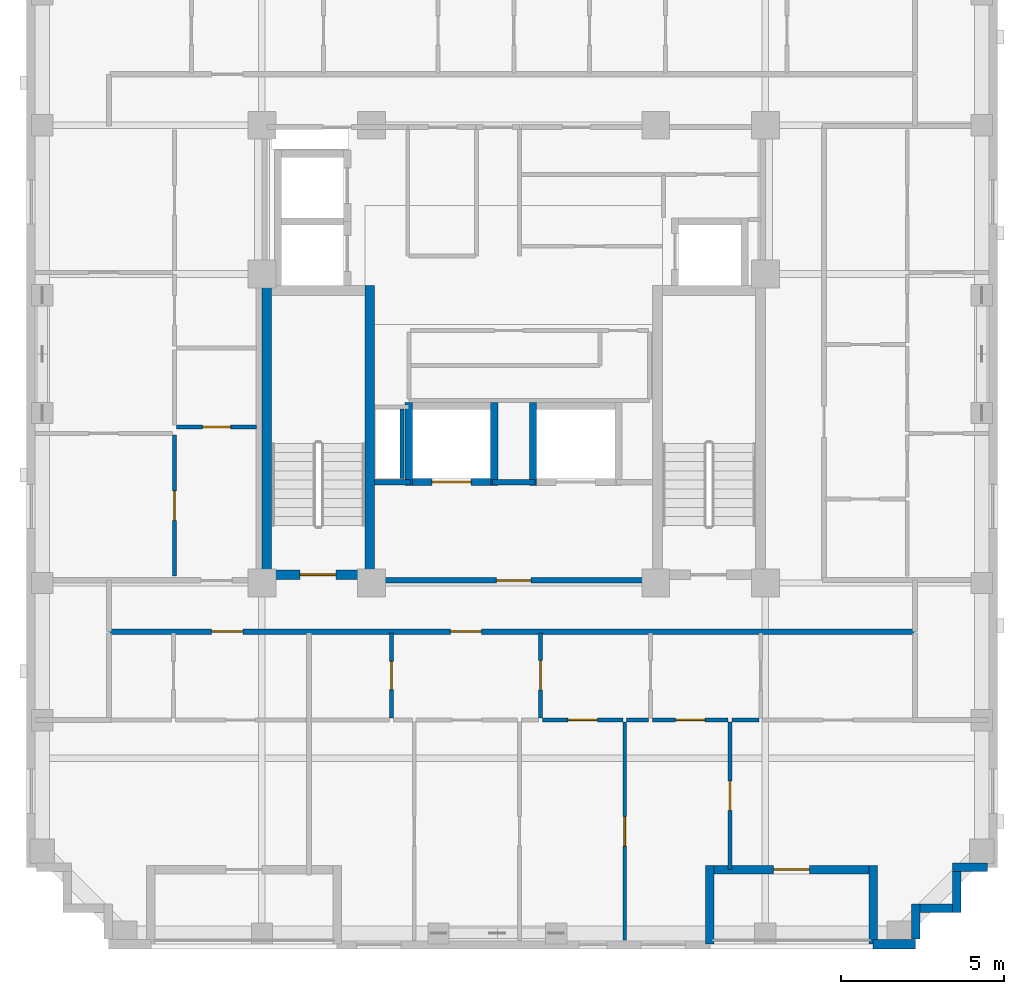
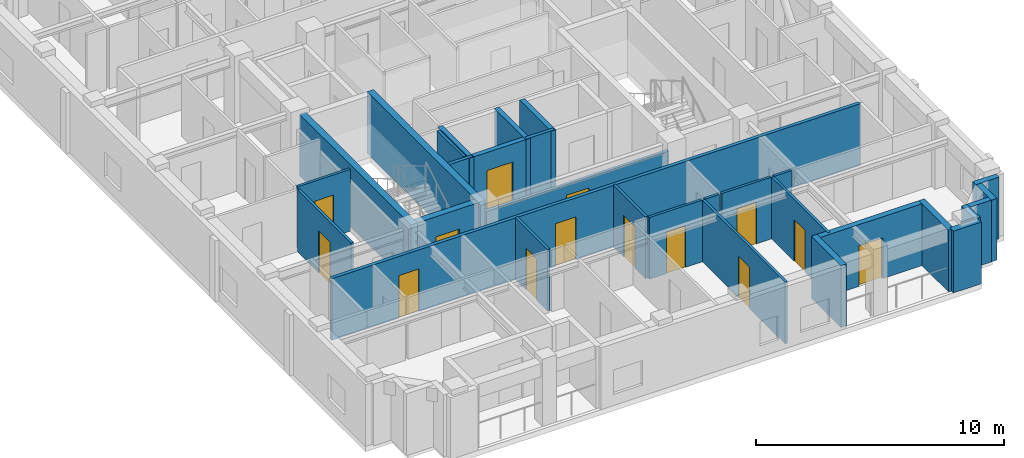
# One storey, part 3 of 11: 30 walls, 14 doors, 14 openings.
"""IFC4 building model written with IfcOpenShell, lengths in metres."""

from ifc_helpers import new_model, si_unit, derived_unit, direction, frame, frame_2d, origin, place, context, subcontext, project, spatial, rectangle, extrude, material, layer, layer_set, type_object, element, fill, save


model = new_model("IFC4")

# Units and contexts
model_context = context("Model", 3, precision=1e-05, world=origin(), true_north=direction((0.0, 1.0)))
body_context = subcontext(model_context, "Body", "Model", "MODEL_VIEW")
ifc_project = project(units=[si_unit("LENGTHUNIT", "METRE"), si_unit("AREAUNIT", "SQUARE_METRE"), si_unit("VOLUMEUNIT", "CUBIC_METRE"), si_unit("PLANEANGLEUNIT", "RADIAN"), si_unit("MASSUNIT", "GRAM", prefix="KILO"), derived_unit("THERMALTRANSMITTANCEUNIT", [(si_unit("MASSUNIT", "GRAM", prefix="KILO"), 1), (si_unit("TIMEUNIT", "SECOND"), -3), (si_unit("THERMODYNAMICTEMPERATUREUNIT", "KELVIN"), -1)])], contexts=[model_context])

# Site, building, storey
site_placement = place(None, origin())
site = spatial("IfcSite", under=ifc_project, at=site_placement, CompositionType="ELEMENT")
building_placement = place(site_placement, origin())
building = spatial("IfcBuilding", under=site, at=building_placement, Name="Korrvale Station Residences", CompositionType="ELEMENT")
storey_placement = place(building_placement, frame((0.0, 0.0, 197.5)))
storey = spatial("IfcBuildingStorey", under=building, at=storey_placement, Name="L57", CompositionType="ELEMENT", Elevation=197.5)

# Walls
ifc_material_1 = material(Name="Concrete C50/60", Category="concrete")
ifc_layer_1 = layer(ifc_material_1, 0.300048828125, Name="Concrete C50/60")
ifc_layer_set_1 = layer_set([ifc_layer_1], Name="Concrete C50/60")
wall_type_1 = type_object("IfcWallType", Name="WAL-CORE-300-C50", PredefinedType="SHEAR", material=ifc_layer_set_1)
for number, where, z_axis, x_axis, name in (
    (1, (17.949951171875, 15.10009765625, 0.0), (0.0, 0.0, 1.0), (0.0, 1.0, 0.0), "L57 ST-1 Core Shear Wall West"),
    (2, (21.10009765625, 15.10009765625, 0.0), (0.0, 0.0, 1.0), (0.0, 1.0, 0.0), "L57 ST-1 Core Shear Wall East"),
):
    element("IfcWall", number, at=place(storey_placement, frame(where, z_axis=z_axis, x_axis=x_axis)), inside=storey, type_object=wall_type_1, Name=name, PredefinedType="SHEAR", context=body_context, shape_type="SweptSolid", body=[
        extrude(rectangle(XDim=9.0, YDim=0.300048828125, at=frame_2d((4.5, 0.0))), origin(), (0.0, 0.0, 1.0), 3.0400390625),
    ])

# Wall, opening, door
wall_1_placement = place(storey_placement, frame((18.10009765625, 15.25, 0.0), z_axis=(0.0, 0.0, 1.0), x_axis=(1.0, 0.0, 0.0)))
wall_1 = element("IfcWall", 3, at=wall_1_placement, inside=storey, type_object=wall_type_1, Name="L57 ST-1 Core Shear Wall South", PredefinedType="SHEAR", context=body_context, shape_type="SweptSolid", body=[
    extrude(rectangle(XDim=2.849853515625, YDim=0.300048828125, at=frame_2d((1.4248046875, 0.0))), origin(), (0.0, 0.0, 1.0), 3.0400390625),
])
opening_1_placement = place(wall_1_placement, frame((0.860107421875, 0.0, 0.0)))
opening_1 = element("IfcOpeningElement", 4, at=opening_1_placement, cuts=wall_1, Name="Opening SD-1100", PredefinedType="OPENING", context=body_context, shape_type="SweptSolid", body=[
    extrude(rectangle(XDim=1.10009765625, YDim=2.050048828125, at=frame_2d((0.550048828125, 1.02490234375))), frame((0.0, 0.16015625, 0.0), z_axis=(0.0, -1.0, 0.0), x_axis=(1.0, 0.0, 0.0)), (0.0, 0.0, 1.0), 0.320068359375),
])
ifc_material_2 = material(Name="Hollow-metal fire-rated stair door with closer", Category="steel")
door_type_1 = type_object("IfcDoorType", Name="DR-STAIR-1100", OperationType="NOTDEFINED", PredefinedType="DOOR", material=ifc_material_2)
door_1_placement = place(opening_1_placement, origin())
door_1 = element("IfcDoor", 5, at=door_1_placement, inside=storey, type_object=door_type_1, Name="L57 ST-1 Exit Stair Door", OperationType="SINGLE_SWING_LEFT", OverallHeight=2.050048828125, OverallWidth=1.10009765625, PredefinedType="DOOR", context=body_context, shape_type="SweptSolid", body=[
    extrude(rectangle(XDim=1.10009765625, YDim=2.050048828125, at=frame_2d((0.550048828125, 1.02490234375))), frame((0.0, 0.02490234375, 0.0), z_axis=(0.0, -1.0, 0.0), x_axis=(1.0, 0.0, 0.0)), (0.0, 0.0, 1.0), 0.050048828125),
])
fill(opening_1, door_1)

# Wall
ifc_material_3 = material(Name="Precast concrete C45/55", Category="concrete")
ifc_layer_2 = layer(ifc_material_3, 0.260009765625, Name="Precast concrete C45/55")
ifc_layer_set_2 = layer_set([ifc_layer_2], Name="Precast concrete C45/55")
wall_type_2 = type_object("IfcWallType", Name="WAL-EXT-LOG260", PredefinedType="SOLIDWALL", material=ifc_layer_set_2)
wall_2_placement = place(storey_placement, frame((36.5, 3.9599609375, 0.0), z_axis=(0.0, 0.0, 1.0), x_axis=(0.0, 1.0, 0.0)))
element("IfcWall", 6, at=wall_2_placement, inside=storey, type_object=wall_type_2, Name="L57 Recessed Loggia Wall BAL-L57-S2-L", PredefinedType="SOLIDWALL", context=body_context, shape_type="SweptSolid", body=[
    extrude(rectangle(XDim=2.400146484375, YDim=0.260009765625, at=frame_2d((1.2001953125, 0.0))), origin(), (0.0, 0.0, 1.0), 3.0400390625),
])

# Wall, opening, door
wall_3_placement = place(storey_placement, frame((36.365966796875, 6.22998046875, 0.0), z_axis=(0.0, 0.0, 1.0), x_axis=(-1.0, 0.0, 0.0)))
wall_3 = element("IfcWall", 7, at=wall_3_placement, inside=storey, type_object=wall_type_2, Name="L57 Recessed Loggia Wall BAL-L57-S2-B", PredefinedType="SOLIDWALL", context=body_context, shape_type="SweptSolid", body=[
    extrude(rectangle(XDim=4.73193359375, YDim=0.260009765625, at=frame_2d((2.365966796875, 0.0))), origin(), (0.0, 0.0, 1.0), 3.0400390625),
])
opening_2_placement = place(wall_3_placement, frame((1.81591796875, 0.0, 0.0)))
opening_2 = element("IfcOpeningElement", 8, at=opening_2_placement, cuts=wall_3, Name="Opening BD-01", PredefinedType="OPENING", context=body_context, shape_type="SweptSolid", body=[
    extrude(rectangle(XDim=1.10009765625, YDim=2.0, at=frame_2d((0.550048828125, 1.0))), frame((0.0, 0.14013671875, 0.0), z_axis=(0.0, -1.0, 0.0), x_axis=(1.0, 0.0, 0.0)), (0.0, 0.0, 1.0), 0.280029296875),
])
ifc_material_4 = material(Name="Exterior thermally broken aluminium glazed balcony door", Category="aluminium")
door_type_2 = type_object("IfcDoorType", Name="DR-EXT-BAL", OperationType="NOTDEFINED", PredefinedType="DOOR", material=ifc_material_4)
door_2_placement = place(opening_2_placement, origin())
door_2 = element("IfcDoor", 9, at=door_2_placement, inside=storey, type_object=door_type_2, Name="L57 Loggia Balcony Door BAL-L57-S2", OperationType="SINGLE_SWING_RIGHT", OverallHeight=2.0, OverallWidth=1.10009765625, PredefinedType="DOOR", context=body_context, shape_type="SweptSolid", body=[
    extrude(rectangle(XDim=1.10009765625, YDim=2.0, at=frame_2d((0.550048828125, 1.0))), frame((0.0, 0.02490234375, 0.0), z_axis=(0.0, -1.0, 0.0), x_axis=(1.0, 0.0, 0.0)), (0.0, 0.0, 1.0), 0.050048828125),
])
fill(opening_2, door_2)

# Walls
wall_4_placement = place(storey_placement, frame((31.5, 6.360107421875, 0.0), z_axis=(0.0, 0.0, 1.0), x_axis=(0.0, -1.0, 0.0)))
element("IfcWall", 10, at=wall_4_placement, inside=storey, type_object=wall_type_2, Name="L57 Recessed Loggia Wall BAL-L57-S2-R", PredefinedType="SOLIDWALL", context=body_context, shape_type="SweptSolid", body=[
    extrude(rectangle(XDim=2.400146484375, YDim=0.260009765625, at=frame_2d((1.2001953125, 0.0))), origin(), (0.0, 0.0, 1.0), 3.0400390625),
])
wall_5_placement = place(storey_placement, frame((39.998046875, 6.300048828125, 0.0), z_axis=(0.0, 0.0, 1.0), x_axis=(-1.0, 0.0, 0.0)))
element("IfcWall", 11, at=wall_5_placement, inside=storey, type_object=wall_type_2, Name="L57 Serrated Corner Precast Step SE-1", PredefinedType="SOLIDWALL", context=body_context, shape_type="SweptSolid", body=[
    extrude(rectangle(XDim=1.078125, YDim=0.260009765625, at=frame_2d((0.5390625, 0.0))), origin(), (0.0, 0.0, 1.0), 3.0400390625),
])
wall_6_placement = place(storey_placement, frame((39.050048828125, 6.16796875, 0.0), z_axis=(0.0, 0.0, 1.0), x_axis=(0.0, -1.0, 0.0)))
element("IfcWall", 12, at=wall_6_placement, inside=storey, type_object=wall_type_2, Name="L57 Serrated Corner Precast Step SE-2", PredefinedType="SOLIDWALL", context=body_context, shape_type="SweptSolid", body=[
    extrude(rectangle(XDim=1.248046875, YDim=0.260009765625, at=frame_2d((0.6240234375, 0.0))), origin(), (0.0, 0.0, 1.0), 3.0400390625),
])
wall_7_placement = place(storey_placement, frame((38.91796875, 5.050048828125, 0.0), z_axis=(0.0, 0.0, 1.0), x_axis=(-1.0, 0.0, 0.0)))
element("IfcWall", 13, at=wall_7_placement, inside=storey, type_object=wall_type_2, Name="L57 Serrated Corner Precast Step SE-3", PredefinedType="SOLIDWALL", context=body_context, shape_type="SweptSolid", body=[
    extrude(rectangle(XDim=0.986083984375, YDim=0.260009765625, at=frame_2d((0.4931640625, 0.0))), origin(), (0.0, 0.0, 1.0), 3.0400390625),
])
wall_8_placement = place(storey_placement, frame((37.800048828125, 5.179931640625, 0.0), z_axis=(0.0, 0.0, 1.0), x_axis=(0.0, -1.0, 0.0)))
element("IfcWall", 14, at=wall_8_placement, inside=storey, type_object=wall_type_2, Name="L57 Serrated Corner Precast Step SE-4", PredefinedType="SOLIDWALL", context=body_context, shape_type="SweptSolid", body=[
    extrude(rectangle(XDim=1.077880859375, YDim=0.260009765625, at=frame_2d((0.5390625, 0.0))), origin(), (0.0, 0.0, 1.0), 3.0400390625),
])
ifc_layer_3 = layer(ifc_material_3, 0.300048828125, Name="Precast concrete C45/55")
ifc_layer_set_3 = layer_set([ifc_layer_3], Name="Precast concrete C45/55")
wall_type_3 = type_object("IfcWallType", Name="WAL-EXT-PC300", PredefinedType="SOLIDWALL", material=ifc_layer_set_3)
wall_9_placement = place(storey_placement, frame((37.800048828125, 3.949951171875, 0.0), z_axis=(0.0, 0.0, 1.0), x_axis=(-1.0, 0.0, 0.0)))
element("IfcWall", 15, at=wall_9_placement, inside=storey, type_object=wall_type_3, Name="L57 South Exterior Precast Wall 1", PredefinedType="SOLIDWALL", context=body_context, shape_type="SweptSolid", body=[
    extrude(rectangle(XDim=1.300048828125, YDim=0.300048828125, at=frame_2d((0.64990234375, 0.0))), origin(), (0.0, 0.0, 1.0), 3.0400390625),
])
ifc_material_5 = material(Name="Acoustic steel-stud gypsum board partition", Category="steel")
ifc_layer_4 = layer(ifc_material_5, 0.1201171875, Name="Acoustic steel-stud gypsum board partition")
ifc_layer_set_4 = layer_set([ifc_layer_4], Name="Acoustic steel-stud gypsum board partition")
wall_type_4 = type_object("IfcWallType", Name="WAL-PART-125", PredefinedType="PARTITIONING", material=ifc_layer_set_4)
wall_10_placement = place(storey_placement, frame((22.080078125, 18.199951171875, 0.0), z_axis=(0.0, 0.0, 1.0), x_axis=(0.0, 1.0, 0.0)))
element("IfcWall", 16, at=wall_10_placement, inside=storey, type_object=wall_type_4, Name="L57 Core Partition CW-RSWT", PredefinedType="PARTITIONING", context=body_context, shape_type="SweptSolid", body=[
    extrude(rectangle(XDim=2.1201171875, YDim=0.1201171875, at=frame_2d((1.06005859375, 0.0))), origin(), (0.0, 0.0, 1.0), 3.0400390625),
])

# Wall, opening, door
wall_11_placement = place(storey_placement, frame((21.759033203125, 10.8701171875, 0.0), z_axis=(0.0, 0.0, 1.0), x_axis=(0.0, 1.0, 0.0)))
wall_11 = element("IfcWall", 17, at=wall_11_placement, inside=storey, type_object=wall_type_4, Name="L57 Suite Partition U02-V01", PredefinedType="PARTITIONING", context=body_context, shape_type="SweptSolid", body=[
    extrude(rectangle(XDim=2.599853515625, YDim=0.1201171875, at=frame_2d((1.2998046875, 0.0))), origin(), (0.0, 0.0, 1.0), 3.0400390625),
])
opening_3_placement = place(wall_11_placement, frame((0.8701171875, 0.0, 0.0)))
opening_3 = element("IfcOpeningElement", 18, at=opening_3_placement, cuts=wall_11, Name="Opening DB-860", PredefinedType="OPENING", context=body_context, shape_type="SweptSolid", body=[
    extrude(rectangle(XDim=0.860107421875, YDim=2.050048828125, at=frame_2d((0.43017578125, 1.02490234375))), frame((0.0, 0.070068359375, 0.0), z_axis=(0.0, -1.0, 0.0), x_axis=(1.0, 0.0, 0.0)), (0.0, 0.0, 1.0), 0.14013671875),
])
ifc_material_6 = material(Name="Moisture-resistant solid-core bathroom door", Category="timber")
door_type_3 = type_object("IfcDoorType", Name="DR-BATH-860", OperationType="NOTDEFINED", PredefinedType="DOOR", material=ifc_material_6)
door_3_placement = place(opening_3_placement, origin())
door_3 = element("IfcDoor", 19, at=door_3_placement, inside=storey, type_object=door_type_3, Name="L57 Studio Apartment L57-U02 Bathroom Door", OperationType="SINGLE_SWING_RIGHT", OverallHeight=2.050048828125, OverallWidth=0.860107421875, PredefinedType="DOOR", context=body_context, shape_type="SweptSolid", body=[
    extrude(rectangle(XDim=0.860107421875, YDim=2.050048828125, at=frame_2d((0.43017578125, 1.02490234375))), frame((0.0, 0.02490234375, 0.0), z_axis=(0.0, -1.0, 0.0), x_axis=(1.0, 0.0, 0.0)), (0.0, 0.0, 1.0), 0.050048828125),
])
fill(opening_3, door_3)

wall_12_placement = place(storey_placement, frame((26.319091796875, 10.8701171875, 0.0), z_axis=(0.0, 0.0, 1.0), x_axis=(0.0, 1.0, 0.0)))
wall_12 = element("IfcWall", 20, at=wall_12_placement, inside=storey, type_object=wall_type_4, Name="L57 Suite Partition U02-V12", PredefinedType="PARTITIONING", context=body_context, shape_type="SweptSolid", body=[
    extrude(rectangle(XDim=2.599853515625, YDim=0.1201171875, at=frame_2d((1.2998046875, 0.0))), origin(), (0.0, 0.0, 1.0), 3.0400390625),
])
opening_4_placement = place(wall_12_placement, frame((0.85009765625, 0.0, 0.0)))
opening_4 = element("IfcOpeningElement", 21, at=opening_4_placement, cuts=wall_12, Name="Opening DI-900", PredefinedType="OPENING", context=body_context, shape_type="SweptSolid", body=[
    extrude(rectangle(XDim=0.89990234375, YDim=2.050048828125, at=frame_2d((0.449951171875, 1.02490234375))), frame((0.0, 0.070068359375, 0.0), z_axis=(0.0, -1.0, 0.0), x_axis=(1.0, 0.0, 0.0)), (0.0, 0.0, 1.0), 0.14013671875),
])
ifc_material_7 = material(Name="Painted solid-core timber interior room door", Category="wood")
door_type_4 = type_object("IfcDoorType", Name="DR-INT-900", OperationType="NOTDEFINED", PredefinedType="DOOR", material=ifc_material_7)
door_4_placement = place(opening_4_placement, origin())
door_4 = element("IfcDoor", 22, at=door_4_placement, inside=storey, type_object=door_type_4, Name="L57 Studio Apartment L57-U02 Kitchen Door", OperationType="SINGLE_SWING_LEFT", OverallHeight=2.050048828125, OverallWidth=0.89990234375, PredefinedType="DOOR", context=body_context, shape_type="SweptSolid", body=[
    extrude(rectangle(XDim=0.89990234375, YDim=2.050048828125, at=frame_2d((0.449951171875, 1.02490234375))), frame((0.0, 0.02490234375, 0.0), z_axis=(0.0, -1.0, 0.0), x_axis=(1.0, 0.0, 0.0)), (0.0, 0.0, 1.0), 0.050048828125),
])
fill(opening_4, door_4)

wall_13_placement = place(storey_placement, frame((26.37890625, 10.81005859375, 0.0), z_axis=(0.0, 0.0, 1.0), x_axis=(1.0, 0.0, 0.0)))
wall_13 = element("IfcWall", 23, at=wall_13_placement, inside=storey, type_object=wall_type_4, Name="L57 Suite Partition U02-H27", PredefinedType="PARTITIONING", context=body_context, shape_type="SweptSolid", body=[
    extrude(rectangle(XDim=2.460205078125, YDim=0.1201171875, at=frame_2d((1.22998046875, 0.0))), origin(), (0.0, 0.0, 1.0), 3.0400390625),
])
opening_5_placement = place(wall_13_placement, frame((0.780029296875, 0.0, 0.0)))
opening_5 = element("IfcOpeningElement", 24, at=opening_5_placement, cuts=wall_13, Name="Opening DI-900", PredefinedType="OPENING", context=body_context, shape_type="SweptSolid", body=[
    extrude(rectangle(XDim=0.89990234375, YDim=2.050048828125, at=frame_2d((0.449951171875, 1.02490234375))), frame((0.0, 0.070068359375, 0.0), z_axis=(0.0, -1.0, 0.0), x_axis=(1.0, 0.0, 0.0)), (0.0, 0.0, 1.0), 0.14013671875),
])
door_5_placement = place(opening_5_placement, origin())
door_5 = element("IfcDoor", 25, at=door_5_placement, inside=storey, type_object=door_type_4, Name="L57 Studio Apartment L57-U02 Home Study Room Door", OperationType="SINGLE_SWING_RIGHT", OverallHeight=2.050048828125, OverallWidth=0.89990234375, PredefinedType="DOOR", context=body_context, shape_type="SweptSolid", body=[
    extrude(rectangle(XDim=0.89990234375, YDim=2.050048828125, at=frame_2d((0.449951171875, 1.02490234375))), frame((0.0, 0.02490234375, 0.0), z_axis=(0.0, -1.0, 0.0), x_axis=(1.0, 0.0, 0.0)), (0.0, 0.0, 1.0), 0.050048828125),
])
fill(opening_5, door_5)

# Wall
wall_14_placement = place(storey_placement, frame((28.958984375, 10.81005859375, 0.0), z_axis=(0.0, 0.0, 1.0), x_axis=(1.0, 0.0, 0.0)))
element("IfcWall", 26, at=wall_14_placement, inside=storey, type_object=wall_type_4, Name="L57 Suite Partition U02-H28", PredefinedType="PARTITIONING", context=body_context, shape_type="SweptSolid", body=[
    extrude(rectangle(XDim=0.669921875, YDim=0.1201171875, at=frame_2d((0.3349609375, 0.0))), origin(), (0.0, 0.0, 1.0), 3.0400390625),
])

# Wall, opening, door
wall_15_placement = place(storey_placement, frame((29.7490234375, 10.81005859375, 0.0), z_axis=(0.0, 0.0, 1.0), x_axis=(1.0, 0.0, 0.0)))
wall_15 = element("IfcWall", 27, at=wall_15_placement, inside=storey, type_object=wall_type_4, Name="L57 Suite Partition U02-H38", PredefinedType="PARTITIONING", context=body_context, shape_type="SweptSolid", body=[
    extrude(rectangle(XDim=2.31005859375, YDim=0.1201171875, at=frame_2d((1.155029296875, 0.0))), origin(), (0.0, 0.0, 1.0), 3.0400390625),
])
opening_6_placement = place(wall_15_placement, frame((0.705078125, 0.0, 0.0)))
opening_6 = element("IfcOpeningElement", 28, at=opening_6_placement, cuts=wall_15, Name="Opening DI-900", PredefinedType="OPENING", context=body_context, shape_type="SweptSolid", body=[
    extrude(rectangle(XDim=0.89990234375, YDim=2.050048828125, at=frame_2d((0.449951171875, 1.02490234375))), frame((0.0, 0.070068359375, 0.0), z_axis=(0.0, -1.0, 0.0), x_axis=(1.0, 0.0, 0.0)), (0.0, 0.0, 1.0), 0.14013671875),
])
door_6_placement = place(opening_6_placement, origin())
door_6 = element("IfcDoor", 29, at=door_6_placement, inside=storey, type_object=door_type_4, Name="L57 Studio Apartment L57-U02 Home Study Room Door", OperationType="SINGLE_SWING_RIGHT", OverallHeight=2.050048828125, OverallWidth=0.89990234375, PredefinedType="DOOR", context=body_context, shape_type="SweptSolid", body=[
    extrude(rectangle(XDim=0.89990234375, YDim=2.050048828125, at=frame_2d((0.449951171875, 1.02490234375))), frame((0.0, 0.02490234375, 0.0), z_axis=(0.0, -1.0, 0.0), x_axis=(1.0, 0.0, 0.0)), (0.0, 0.0, 1.0), 0.050048828125),
])
fill(opening_6, door_6)

# Wall
wall_16_placement = place(storey_placement, frame((32.178955078125, 10.81005859375, 0.0), z_axis=(0.0, 0.0, 1.0), x_axis=(1.0, 0.0, 0.0)))
element("IfcWall", 30, at=wall_16_placement, inside=storey, type_object=wall_type_4, Name="L57 Suite Partition U02-H39", PredefinedType="PARTITIONING", context=body_context, shape_type="SweptSolid", body=[
    extrude(rectangle(XDim=0.820068359375, YDim=0.1201171875, at=frame_2d((0.41015625, 0.0))), origin(), (0.0, 0.0, 1.0), 3.0400390625),
])

# Wall, opening, door
wall_17_placement = place(storey_placement, frame((28.89892578125, 4.080078125, 0.0), z_axis=(0.0, 0.0, 1.0), x_axis=(0.0, 1.0, 0.0)))
wall_17 = element("IfcWall", 31, at=wall_17_placement, inside=storey, type_object=wall_type_4, Name="L57 Suite Partition U02-V78", PredefinedType="PARTITIONING", context=body_context, shape_type="SweptSolid", body=[
    extrude(rectangle(XDim=6.669921875, YDim=0.1201171875, at=frame_2d((3.3349609375, 0.0))), origin(), (0.0, 0.0, 1.0), 3.0400390625),
])
opening_7_placement = place(wall_17_placement, frame((2.8701171875, 0.0, 0.0)))
opening_7 = element("IfcOpeningElement", 32, at=opening_7_placement, cuts=wall_17, Name="Opening DI-900", PredefinedType="OPENING", context=body_context, shape_type="SweptSolid", body=[
    extrude(rectangle(XDim=0.89990234375, YDim=2.050048828125, at=frame_2d((0.449951171875, 1.02490234375))), frame((0.0, 0.070068359375, 0.0), z_axis=(0.0, -1.0, 0.0), x_axis=(1.0, 0.0, 0.0)), (0.0, 0.0, 1.0), 0.14013671875),
])
door_7_placement = place(opening_7_placement, origin())
door_7 = element("IfcDoor", 33, at=door_7_placement, inside=storey, type_object=door_type_4, Name="L57 Studio Apartment L57-U02 Formal Dining Room Door", OperationType="SINGLE_SWING_RIGHT", OverallHeight=2.050048828125, OverallWidth=0.89990234375, PredefinedType="DOOR", context=body_context, shape_type="SweptSolid", body=[
    extrude(rectangle(XDim=0.89990234375, YDim=2.050048828125, at=frame_2d((0.449951171875, 1.02490234375))), frame((0.0, 0.02490234375, 0.0), z_axis=(0.0, -1.0, 0.0), x_axis=(1.0, 0.0, 0.0)), (0.0, 0.0, 1.0), 0.050048828125),
])
fill(opening_7, door_7)

wall_18_placement = place(storey_placement, frame((32.118896484375, 6.22998046875, 0.0), z_axis=(0.0, 0.0, 1.0), x_axis=(0.0, 1.0, 0.0)))
wall_18 = element("IfcWall", 34, at=wall_18_placement, inside=storey, type_object=wall_type_4, Name="L57 Suite Partition U02-V89", PredefinedType="PARTITIONING", context=body_context, shape_type="SweptSolid", body=[
    extrude(rectangle(XDim=4.52001953125, YDim=0.1201171875, at=frame_2d((2.260009765625, 0.0))), origin(), (0.0, 0.0, 1.0), 3.0400390625),
])
opening_8_placement = place(wall_18_placement, frame((1.81005859375, 0.0, 0.0)))
opening_8 = element("IfcOpeningElement", 35, at=opening_8_placement, cuts=wall_18, Name="Opening DI-900", PredefinedType="OPENING", context=body_context, shape_type="SweptSolid", body=[
    extrude(rectangle(XDim=0.89990234375, YDim=2.050048828125, at=frame_2d((0.449951171875, 1.02490234375))), frame((0.0, 0.070068359375, 0.0), z_axis=(0.0, -1.0, 0.0), x_axis=(1.0, 0.0, 0.0)), (0.0, 0.0, 1.0), 0.14013671875),
])
door_8_placement = place(opening_8_placement, origin())
door_8 = element("IfcDoor", 36, at=door_8_placement, inside=storey, type_object=door_type_4, Name="L57 Studio Apartment L57-U02 Formal Dining Room Door", OperationType="SINGLE_SWING_LEFT", OverallHeight=2.050048828125, OverallWidth=0.89990234375, PredefinedType="DOOR", context=body_context, shape_type="SweptSolid", body=[
    extrude(rectangle(XDim=0.89990234375, YDim=2.050048828125, at=frame_2d((0.449951171875, 1.02490234375))), frame((0.0, 0.02490234375, 0.0), z_axis=(0.0, -1.0, 0.0), x_axis=(1.0, 0.0, 0.0)), (0.0, 0.0, 1.0), 0.050048828125),
])
fill(opening_8, door_8)

wall_19_placement = place(storey_placement, frame((15.18994140625, 19.77001953125, 0.0), z_axis=(0.0, 0.0, 1.0), x_axis=(1.0, 0.0, 0.0)))
wall_19 = element("IfcWall", 37, at=wall_19_placement, inside=storey, type_object=wall_type_4, Name="L57 Suite Partition U04-H12", PredefinedType="PARTITIONING", context=body_context, shape_type="SweptSolid", body=[
    extrude(rectangle(XDim=2.449951171875, YDim=0.1201171875, at=frame_2d((1.22509765625, 0.0))), origin(), (0.0, 0.0, 1.0), 3.0400390625),
])
opening_9_placement = place(wall_19_placement, frame((0.794921875, 0.0, 0.0)))
opening_9 = element("IfcOpeningElement", 38, at=opening_9_placement, cuts=wall_19, Name="Opening DB-860", PredefinedType="OPENING", context=body_context, shape_type="SweptSolid", body=[
    extrude(rectangle(XDim=0.860107421875, YDim=2.050048828125, at=frame_2d((0.43017578125, 1.02490234375))), frame((0.0, 0.070068359375, 0.0), z_axis=(0.0, -1.0, 0.0), x_axis=(1.0, 0.0, 0.0)), (0.0, 0.0, 1.0), 0.14013671875),
])
door_9_placement = place(opening_9_placement, origin())
door_9 = element("IfcDoor", 39, at=door_9_placement, inside=storey, type_object=door_type_3, Name="L57 Apartment 2BR L57-U04 Bathroom Door", OperationType="SINGLE_SWING_LEFT", OverallHeight=2.050048828125, OverallWidth=0.860107421875, PredefinedType="DOOR", context=body_context, shape_type="SweptSolid", body=[
    extrude(rectangle(XDim=0.860107421875, YDim=2.050048828125, at=frame_2d((0.43017578125, 1.02490234375))), frame((0.0, 0.02490234375, 0.0), z_axis=(0.0, -1.0, 0.0), x_axis=(1.0, 0.0, 0.0)), (0.0, 0.0, 1.0), 0.050048828125),
])
fill(opening_9, door_9)

wall_20_placement = place(storey_placement, frame((15.1298828125, 15.2099609375, 0.0), z_axis=(0.0, 0.0, 1.0), x_axis=(0.0, 1.0, 0.0)))
wall_20 = element("IfcWall", 40, at=wall_20_placement, inside=storey, type_object=wall_type_4, Name="L57 Suite Partition U04-V23", PredefinedType="PARTITIONING", context=body_context, shape_type="SweptSolid", body=[
    extrude(rectangle(XDim=4.30810546875, YDim=0.1201171875, at=frame_2d((2.154052734375, 0.0))), origin(), (0.0, 0.0, 1.0), 3.0400390625),
])
opening_10_placement = place(wall_20_placement, frame((1.7041015625, 0.0, 0.0)))
opening_10 = element("IfcOpeningElement", 41, at=opening_10_placement, cuts=wall_20, Name="Opening DI-900", PredefinedType="OPENING", context=body_context, shape_type="SweptSolid", body=[
    extrude(rectangle(XDim=0.89990234375, YDim=2.050048828125, at=frame_2d((0.449951171875, 1.02490234375))), frame((0.0, 0.070068359375, 0.0), z_axis=(0.0, -1.0, 0.0), x_axis=(1.0, 0.0, 0.0)), (0.0, 0.0, 1.0), 0.14013671875),
])
door_10_placement = place(opening_10_placement, origin())
door_10 = element("IfcDoor", 42, at=door_10_placement, inside=storey, type_object=door_type_4, Name="L57 Apartment 2BR L57-U04 Kitchen Door", OperationType="SINGLE_SWING_RIGHT", OverallHeight=2.050048828125, OverallWidth=0.89990234375, PredefinedType="DOOR", context=body_context, shape_type="SweptSolid", body=[
    extrude(rectangle(XDim=0.89990234375, YDim=2.050048828125, at=frame_2d((0.449951171875, 1.02490234375))), frame((0.0, 0.02490234375, 0.0), z_axis=(0.0, -1.0, 0.0), x_axis=(1.0, 0.0, 0.0)), (0.0, 0.0, 1.0), 0.050048828125),
])
fill(opening_10, door_10)

ifc_material_8 = material(Name="Fire-rated twin-stud gypsum and mineral wool shaftwall assembly", Category="gypsum")
ifc_layer_5 = layer(ifc_material_8, 0.159912109375, Name="Fire-rated twin-stud gypsum and mineral wool shaftwall assembly")
ifc_layer_set_5 = layer_set([ifc_layer_5], Name="Fire-rated twin-stud gypsum and mineral wool shaftwall assembly")
wall_type_5 = type_object("IfcWallType", Name="WAL-PART-200", PredefinedType="PARTITIONING", material=ifc_layer_set_5)
wall_21_placement = place(storey_placement, frame((21.25, 15.080078125, 0.0), z_axis=(0.0, 0.0, 1.0), x_axis=(1.0, 0.0, 0.0)))
wall_21 = element("IfcWall", 43, at=wall_21_placement, inside=storey, type_object=wall_type_5, Name="L57 Core Partition CW-FFL-S", PredefinedType="PARTITIONING", context=body_context, shape_type="SweptSolid", body=[
    extrude(rectangle(XDim=8.5, YDim=0.159912109375, at=frame_2d((4.25, 0.0))), origin(), (0.0, 0.0, 1.0), 2.555908203125),
])
opening_11_placement = place(wall_21_placement, frame((3.72509765625, 0.0, 0.0)))
opening_11 = element("IfcOpeningElement", 44, at=opening_11_placement, cuts=wall_21, Name="Opening FD-1050", PredefinedType="OPENING", context=body_context, shape_type="SweptSolid", body=[
    extrude(rectangle(XDim=1.050048828125, YDim=2.050048828125, at=frame_2d((0.52490234375, 1.02490234375))), frame((0.0, 0.08984375, 0.0), z_axis=(0.0, -1.0, 0.0), x_axis=(1.0, 0.0, 0.0)), (0.0, 0.0, 1.0), 0.179931640625),
])
ifc_material_9 = material(Name="Fire-rated mineral-core timber lobby door", Category="wood")
door_type_5 = type_object("IfcDoorType", Name="DR-CORE-1050", OperationType="NOTDEFINED", PredefinedType="DOOR", material=ifc_material_9)
door_11_placement = place(opening_11_placement, origin())
door_11 = element("IfcDoor", 45, at=door_11_placement, inside=storey, type_object=door_type_5, Name="L57 Firefighting Lobby Entry Door", OperationType="SINGLE_SWING_LEFT", OverallHeight=2.050048828125, OverallWidth=1.050048828125, PredefinedType="DOOR", context=body_context, shape_type="SweptSolid", body=[
    extrude(rectangle(XDim=1.050048828125, YDim=2.050048828125, at=frame_2d((0.52490234375, 1.02490234375))), frame((0.0, 0.02490234375, 0.0), z_axis=(0.0, -1.0, 0.0), x_axis=(1.0, 0.0, 0.0)), (0.0, 0.0, 1.0), 0.050048828125),
])
fill(opening_11, door_11)

# Walls
wall_22_placement = place(storey_placement, frame((21.25, 18.080078125, 0.0), z_axis=(0.0, 0.0, 1.0), x_axis=(1.0, 0.0, 0.0)))
element("IfcWall", 46, at=wall_22_placement, inside=storey, type_object=wall_type_5, Name="L57 Core Partition CW-FFL-N1", PredefinedType="PARTITIONING", context=body_context, shape_type="SweptSolid", body=[
    extrude(rectangle(XDim=1.10009765625, YDim=0.159912109375, at=frame_2d((0.550048828125, 0.0))), origin(), (0.0, 0.0, 1.0), 3.0400390625),
])
wall_23_placement = place(storey_placement, frame((24.85009765625, 18.080078125, 0.0), z_axis=(0.0, 0.0, 1.0), x_axis=(1.0, 0.0, 0.0)))
element("IfcWall", 47, at=wall_23_placement, inside=storey, type_object=wall_type_5, Name="L57 Core Partition CW-FFL-N2", PredefinedType="PARTITIONING", context=body_context, shape_type="SweptSolid", body=[
    extrude(rectangle(XDim=1.2998046875, YDim=0.159912109375, at=frame_2d((0.64990234375, 0.0))), origin(), (0.0, 0.0, 1.0), 3.0400390625),
])

# Wall, openings, doors
wall_24_placement = place(storey_placement, frame((13.14990234375, 13.510009765625, 0.0), z_axis=(0.0, 0.0, 1.0), x_axis=(1.0, 0.0, 0.0)))
wall_24 = element("IfcWall", 48, at=wall_24_placement, inside=storey, type_object=wall_type_5, Name="L57 Rated Corridor Wall S", PredefinedType="PARTITIONING", context=body_context, shape_type="SweptSolid", body=[
    extrude(rectangle(XDim=24.60009765625, YDim=0.159912109375, at=frame_2d((12.300048828125, 0.0))), origin(), (0.0, 0.0, 1.0), 3.0400390625),
])
opening_12_placement = place(wall_24_placement, frame((3.114990234375, 0.0, 0.0)))
opening_12 = element("IfcOpeningElement", 49, at=opening_12_placement, cuts=wall_24, Name="Opening UD-950", PredefinedType="OPENING", context=body_context, shape_type="SweptSolid", body=[
    extrude(rectangle(XDim=0.949951171875, YDim=2.10009765625, at=frame_2d((0.47509765625, 1.050048828125))), frame((0.0, 0.08984375, 0.0), z_axis=(0.0, -1.0, 0.0), x_axis=(1.0, 0.0, 0.0)), (0.0, 0.0, 1.0), 0.179931640625),
])
opening_13_placement = place(wall_24_placement, frame((10.4140625, 0.0, 0.0)))
opening_13 = element("IfcOpeningElement", 50, at=opening_13_placement, cuts=wall_24, Name="Opening UD-950", PredefinedType="OPENING", context=body_context, shape_type="SweptSolid", body=[
    extrude(rectangle(XDim=0.949951171875, YDim=2.10009765625, at=frame_2d((0.47509765625, 1.050048828125))), frame((0.0, 0.08984375, 0.0), z_axis=(0.0, -1.0, 0.0), x_axis=(1.0, 0.0, 0.0)), (0.0, 0.0, 1.0), 0.179931640625),
])
ifc_material_10 = material(Name="Solid-core acoustic oak apartment entrance door", Category="timber")
door_type_6 = type_object("IfcDoorType", Name="DR-UNIT-950", OperationType="NOTDEFINED", PredefinedType="DOOR", material=ifc_material_10)
door_12_placement = place(opening_12_placement, origin())
door_12 = element("IfcDoor", 51, at=door_12_placement, inside=storey, type_object=door_type_6, Name="L57 Apartment L57-U01 Entrance Door", OperationType="SINGLE_SWING_LEFT", OverallHeight=2.10009765625, OverallWidth=0.949951171875, PredefinedType="DOOR", context=body_context, shape_type="SweptSolid", body=[
    extrude(rectangle(XDim=0.949951171875, YDim=2.10009765625, at=frame_2d((0.47509765625, 1.050048828125))), frame((0.0, 0.02490234375, 0.0), z_axis=(0.0, -1.0, 0.0), x_axis=(1.0, 0.0, 0.0)), (0.0, 0.0, 1.0), 0.050048828125),
])
fill(opening_12, door_12)
door_13_placement = place(opening_13_placement, origin())
door_13 = element("IfcDoor", 52, at=door_13_placement, inside=storey, type_object=door_type_6, Name="L57 Apartment L57-U02 Entrance Door", OperationType="SINGLE_SWING_RIGHT", OverallHeight=2.10009765625, OverallWidth=0.949951171875, PredefinedType="DOOR", context=body_context, shape_type="SweptSolid", body=[
    extrude(rectangle(XDim=0.949951171875, YDim=2.10009765625, at=frame_2d((0.47509765625, 1.050048828125))), frame((0.0, 0.02490234375, 0.0), z_axis=(0.0, -1.0, 0.0), x_axis=(1.0, 0.0, 0.0)), (0.0, 0.0, 1.0), 0.050048828125),
])
fill(opening_13, door_13)

# Wall, opening, door
ifc_layer_6 = layer(ifc_material_1, 0.219970703125, Name="Concrete C50/60")
ifc_layer_set_6 = layer_set([ifc_layer_6], Name="Concrete C50/60")
wall_type_6 = type_object("IfcWallType", Name="WAL-SHAFT-220-C50", PredefinedType="SHEAR", material=ifc_layer_set_6)
wall_25_placement = place(storey_placement, frame((22.39990234375, 18.090087890625, 0.0), z_axis=(0.0, 0.0, 1.0), x_axis=(1.0, 0.0, 0.0)))
wall_25 = element("IfcWall", 53, at=wall_25_placement, inside=storey, type_object=wall_type_6, Name="L57 Elevator FFL-1 Hoistway Wall South", PredefinedType="SHEAR", context=body_context, shape_type="SweptSolid", body=[
    extrude(rectangle(XDim=2.400146484375, YDim=0.219970703125, at=frame_2d((1.2001953125, 0.0))), origin(), (0.0, 0.0, 1.0), 3.0400390625),
])
opening_14_placement = place(wall_25_placement, frame((0.60009765625, 0.0, 0.0)))
opening_14 = element("IfcOpeningElement", 54, at=opening_14_placement, cuts=wall_25, Name="Opening LD-FF1200", PredefinedType="OPENING", context=body_context, shape_type="SweptSolid", body=[
    extrude(rectangle(XDim=1.199951171875, YDim=2.14990234375, at=frame_2d((0.60009765625, 1.074951171875))), frame((0.0, 0.1201171875, 0.0), z_axis=(0.0, -1.0, 0.0), x_axis=(1.0, 0.0, 0.0)), (0.0, 0.0, 1.0), 0.239990234375),
])
ifc_material_11 = material(Name="Stainless-steel firefighter elevator landing sliding door", Category="steel")
door_type_7 = type_object("IfcDoorType", Name="DR-LIFT-FF1200", OperationType="SLIDING_TO_LEFT", PredefinedType="DOOR", material=ifc_material_11)
door_14_placement = place(opening_14_placement, origin())
door_14 = element("IfcDoor", 55, at=door_14_placement, inside=storey, type_object=door_type_7, Name="L57 Elevator FFL-1 Sliding Landing Door", OperationType="SLIDING_TO_LEFT", OverallHeight=2.14990234375, OverallWidth=1.199951171875, PredefinedType="DOOR", context=body_context, shape_type="SweptSolid", body=[
    extrude(rectangle(XDim=1.199951171875, YDim=2.14990234375, at=frame_2d((0.60009765625, 1.074951171875))), frame((0.0, 0.02490234375, 0.0), z_axis=(0.0, -1.0, 0.0), x_axis=(1.0, 0.0, 0.0)), (0.0, 0.0, 1.0), 0.050048828125),
])
fill(opening_14, door_14)

# Walls
for number, where, z_axis, x_axis, name in (
    (56, (22.2900390625, 17.97998046875, 0.0), (0.0, 0.0, 1.0), (0.0, 1.0, 0.0), "L57 Elevator FFL-1 Hoistway Wall West"),
    (57, (24.909912109375, 17.97998046875, 0.0), (0.0, 0.0, 1.0), (0.0, 1.0, 0.0), "L57 Elevator FFL-1 Hoistway Wall East"),
    (58, (26.090087890625, 17.97998046875, 0.0), (0.0, 0.0, 1.0), (0.0, 1.0, 0.0), "L57 Elevator FFL-2 Hoistway Wall West"),
):
    element("IfcWall", number, at=place(storey_placement, frame(where, z_axis=z_axis, x_axis=x_axis)), inside=storey, type_object=wall_type_6, Name=name, PredefinedType="SHEAR", context=body_context, shape_type="SweptSolid", body=[
        extrude(rectangle(XDim=2.5400390625, YDim=0.219970703125, at=frame_2d((1.27001953125, 0.0))), origin(), (0.0, 0.0, 1.0), 3.0400390625),
    ])

save(model, "model.ifc")
